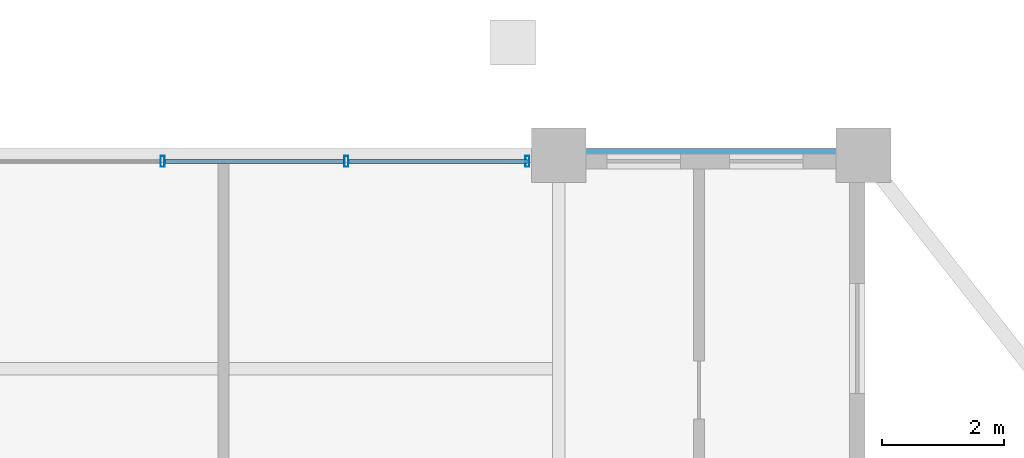
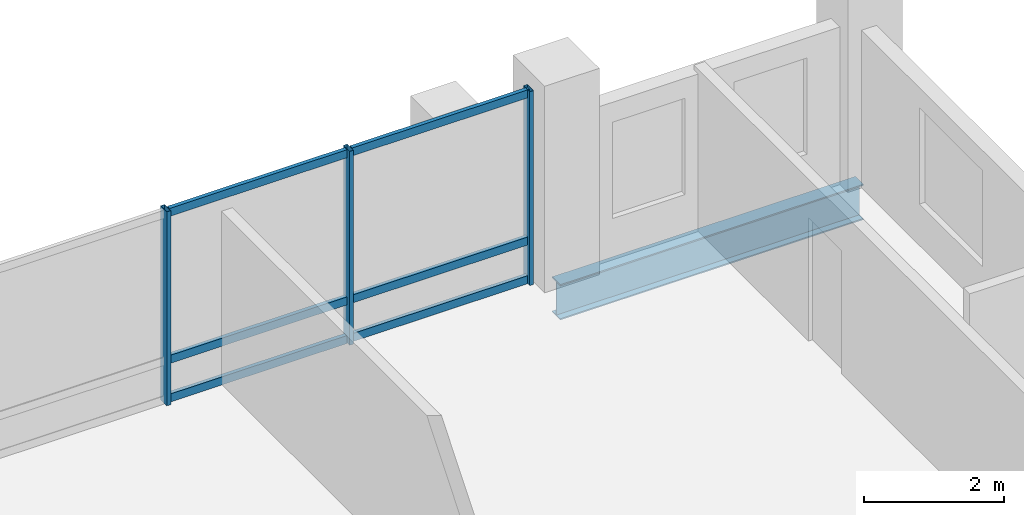
# One storey, part 14 of 21: 9 members, 1 beam, 1 element without a shape of its own.
"""IFC4 building model written with IfcOpenShell, lengths in metres."""

from ifc_helpers import new_model, si_unit, direction, frame, origin, origin_2d, place, context, subcontext, project, spatial, hollow_rectangle, i_section, extrude, material, layer, layer_set, material_profile, profile_set, type_object, element, aggregate, save


model = new_model("IFC4")

# Units and contexts
model_context = context("Model", 3, precision=1e-05, world=origin(), true_north=direction((0.0, 1.0)))
body_context = subcontext(model_context, "Body", "Model", "MODEL_VIEW")
ifc_project = project(units=[si_unit("LENGTHUNIT", "METRE"), si_unit("AREAUNIT", "SQUARE_METRE"), si_unit("VOLUMEUNIT", "CUBIC_METRE"), si_unit("PLANEANGLEUNIT", "RADIAN"), si_unit("MASSUNIT", "GRAM", prefix="KILO")], contexts=[model_context])

# Site, building, storey
site_placement = place(None, origin())
site = spatial("IfcSite", under=ifc_project, at=site_placement, CompositionType="ELEMENT")
building_placement = place(site_placement, origin())
building = spatial("IfcBuilding", under=site, at=building_placement, Name="Barlavira Tower and Art Museum", CompositionType="ELEMENT")
storey_placement = place(building_placement, frame((0.0, 0.0, 297.89990234375)))
storey = spatial("IfcBuildingStorey", under=building, at=storey_placement, Name="L78", CompositionType="ELEMENT", Elevation=297.89990234375)

# Curtain wall, members
ifc_material_1 = material(Name="Low-iron coastal laminated glass", Category="glass")
ifc_layer = layer(ifc_material_1, 0.2099609375, Name="Low-iron coastal laminated glass")
ifc_layer_set = layer_set([ifc_layer], Name="Low-iron coastal laminated glass")
curtain_wall_type = type_object("IfcCurtainWallType", Name="Pale-Metal Unitised Curtain Wall Zone 4", PredefinedType="NOTDEFINED", material=ifc_layer_set)
curtain_wall_placement = place(storey_placement, origin())
curtain_wall = element("IfcCurtainWall", 1, at=curtain_wall_placement, inside=storey, type_object=curtain_wall_type, Name="L78 Curtain Wall CW4-L78-N-B2", PredefinedType="NOTDEFINED")
ifc_material_2 = material(Name="Pale anodised aluminium", Category="aluminium")
ifc_material_profile_1 = material_profile(ifc_material_2, hollow_rectangle(XDim=0.06494140625, YDim=0.179931640625, WallThickness=0.00390625, at=origin_2d()), Name="ALU-MULL 65x180x4")
ifc_profile_set_1 = profile_set([ifc_material_profile_1], Name="Pale anodised aluminium")
member_type_1 = type_object("IfcMemberType", Name="Curtain Wall Pale-Metal Mullion 65x180", PredefinedType="MULLION", material=ifc_profile_set_1)
member_1_placement = place(storey_placement, frame((5.985107421875, 19.89990234375, 0.0), z_axis=(0.0, 0.0, 1.0), x_axis=(-1.0, 0.0, 0.0)))
member_1 = element("IfcMember", 2, at=member_1_placement, type_object=member_type_1, Name="CW4-L78-N-B2 Mullion 0", PredefinedType="MULLION", context=body_context, shape_type="SweptSolid", body=[
    extrude(hollow_rectangle(XDim=0.06494140625, YDim=0.179931640625, WallThickness=0.00390625, at=origin_2d()), origin(), (0.0, 0.0, 1.0), 3.380126953125),
])
member_2_placement = place(storey_placement, frame((3.014892578125, 19.89990234375, 0.0), z_axis=(0.0, 0.0, 1.0), x_axis=(-1.0, 0.0, 0.0)))
member_2 = element("IfcMember", 3, at=member_2_placement, type_object=member_type_1, Name="CW4-L78-N-B2 Mullion 1", PredefinedType="MULLION", context=body_context, shape_type="SweptSolid", body=[
    extrude(hollow_rectangle(XDim=0.06494140625, YDim=0.179931640625, WallThickness=0.00390625, at=origin_2d()), origin(), (0.0, 0.0, 1.0), 3.380126953125),
])
member_3_placement = place(storey_placement, frame((0.0, 19.89990234375, 0.0), z_axis=(0.0, 0.0, 1.0), x_axis=(-1.0, 0.0, 0.0)))
member_3 = element("IfcMember", 4, at=member_3_placement, type_object=member_type_1, Name="CW4-L78-N-B2 Mullion 2", PredefinedType="MULLION", context=body_context, shape_type="SweptSolid", body=[
    extrude(hollow_rectangle(XDim=0.06494140625, YDim=0.179931640625, WallThickness=0.00390625, at=origin_2d()), origin(), (0.0, 0.0, 1.0), 3.380126953125),
])
ifc_material_profile_2 = material_profile(ifc_material_2, hollow_rectangle(XDim=0.06494140625, YDim=0.139892578125, WallThickness=0.00390625, at=origin_2d()), Name="ALU-TRAN 65x140x4")
ifc_profile_set_2 = profile_set([ifc_material_profile_2], Name="Pale anodised aluminium")
member_type_2 = type_object("IfcMemberType", Name="Curtain Wall Pale-Metal Transom 65x140", PredefinedType="USERDEFINED", material=ifc_profile_set_2)
member_4_placement = place(storey_placement, frame((5.985107421875, 19.89990234375, 0.070068359375), z_axis=(-1.0, 0.0, 0.0), x_axis=(0.0, -1.0, 0.0)))
member_4 = element("IfcMember", 5, at=member_4_placement, type_object=member_type_2, Name="CW4-L78-N-B2 Transom 0.1", ObjectType="TRANSOM", PredefinedType="USERDEFINED", context=body_context, shape_type="SweptSolid", body=[
    extrude(hollow_rectangle(XDim=0.06494140625, YDim=0.139892578125, WallThickness=0.00390625, at=origin_2d()), origin(), (0.0, 0.0, 1.0), 2.925048828125),
])
member_5_placement = place(storey_placement, frame((5.985107421875, 19.89990234375, 0.744140625), z_axis=(-1.0, 0.0, 0.0), x_axis=(0.0, -1.0, 0.0)))
member_5 = element("IfcMember", 6, at=member_5_placement, type_object=member_type_2, Name="CW4-L78-N-B2 Transom 0.2", ObjectType="TRANSOM", PredefinedType="USERDEFINED", context=body_context, shape_type="SweptSolid", body=[
    extrude(hollow_rectangle(XDim=0.06494140625, YDim=0.139892578125, WallThickness=0.00390625, at=origin_2d()), origin(), (0.0, 0.0, 1.0), 2.925048828125),
])
member_6_placement = place(storey_placement, frame((5.985107421875, 19.89990234375, 3.31005859375), z_axis=(-1.0, 0.0, 0.0), x_axis=(0.0, -1.0, 0.0)))
member_6 = element("IfcMember", 7, at=member_6_placement, type_object=member_type_2, Name="CW4-L78-N-B2 Transom 0.3", ObjectType="TRANSOM", PredefinedType="USERDEFINED", context=body_context, shape_type="SweptSolid", body=[
    extrude(hollow_rectangle(XDim=0.06494140625, YDim=0.139892578125, WallThickness=0.00390625, at=origin_2d()), origin(), (0.0, 0.0, 1.0), 2.925048828125),
])
member_7_placement = place(storey_placement, frame((2.969970703125, 19.89990234375, 0.070068359375), z_axis=(-1.0, 0.0, 0.0), x_axis=(0.0, -1.0, 0.0)))
member_7 = element("IfcMember", 8, at=member_7_placement, type_object=member_type_2, Name="CW4-L78-N-B2 Transom 1.1", ObjectType="TRANSOM", PredefinedType="USERDEFINED", context=body_context, shape_type="SweptSolid", body=[
    extrude(hollow_rectangle(XDim=0.06494140625, YDim=0.139892578125, WallThickness=0.00390625, at=origin_2d()), origin(), (0.0, 0.0, 1.0), 2.925048828125),
])
member_8_placement = place(storey_placement, frame((2.969970703125, 19.89990234375, 0.744140625), z_axis=(-1.0, 0.0, 0.0), x_axis=(0.0, -1.0, 0.0)))
member_8 = element("IfcMember", 9, at=member_8_placement, type_object=member_type_2, Name="CW4-L78-N-B2 Transom 1.2", ObjectType="TRANSOM", PredefinedType="USERDEFINED", context=body_context, shape_type="SweptSolid", body=[
    extrude(hollow_rectangle(XDim=0.06494140625, YDim=0.139892578125, WallThickness=0.00390625, at=origin_2d()), origin(), (0.0, 0.0, 1.0), 2.925048828125),
])
member_9_placement = place(storey_placement, frame((2.969970703125, 19.89990234375, 3.31005859375), z_axis=(-1.0, 0.0, 0.0), x_axis=(0.0, -1.0, 0.0)))
member_9 = element("IfcMember", 10, at=member_9_placement, type_object=member_type_2, Name="CW4-L78-N-B2 Transom 1.3", ObjectType="TRANSOM", PredefinedType="USERDEFINED", context=body_context, shape_type="SweptSolid", body=[
    extrude(hollow_rectangle(XDim=0.06494140625, YDim=0.139892578125, WallThickness=0.00390625, at=origin_2d()), origin(), (0.0, 0.0, 1.0), 2.925048828125),
])
aggregate(curtain_wall, [member_1, member_2, member_3, member_4, member_5, member_6, member_7, member_8, member_9])

# Beam
ifc_material_3 = material(Name="Steel S355", Category="steel")
ifc_material_profile_3 = material_profile(ifc_material_3, i_section(OverallWidth=0.22998046875, OverallDepth=0.616943359375, WebThickness=0.01318359375, FlangeThickness=0.022216796875, at=origin_2d()), Name="W610x140.0")
ifc_profile_set_3 = profile_set([ifc_material_profile_3], Name="Steel S355")
beam_type = type_object("IfcBeamType", Name="Upper Shaft Spandrel Edge Beam W610x140 Steel S355", PredefinedType="SPANDREL", material=ifc_profile_set_3)
beam_placement = place(storey_placement, frame((6.5, 20.0, -0.5283203125), z_axis=(1.0, 0.0, 0.0), x_axis=(0.0, 1.0, 0.0)))
element("IfcBeam", 11, at=beam_placement, inside=storey, type_object=beam_type, Name="L78 Spandrel 9", PredefinedType="SPANDREL", context=body_context, shape_type="SweptSolid", body=[
    extrude(i_section(OverallWidth=0.22998046875, OverallDepth=0.616943359375, WebThickness=0.01318359375, FlangeThickness=0.022216796875, at=origin_2d()), origin(), (0.0, 0.0, 1.0), 5.0),
])

save(model, "model.ifc")
